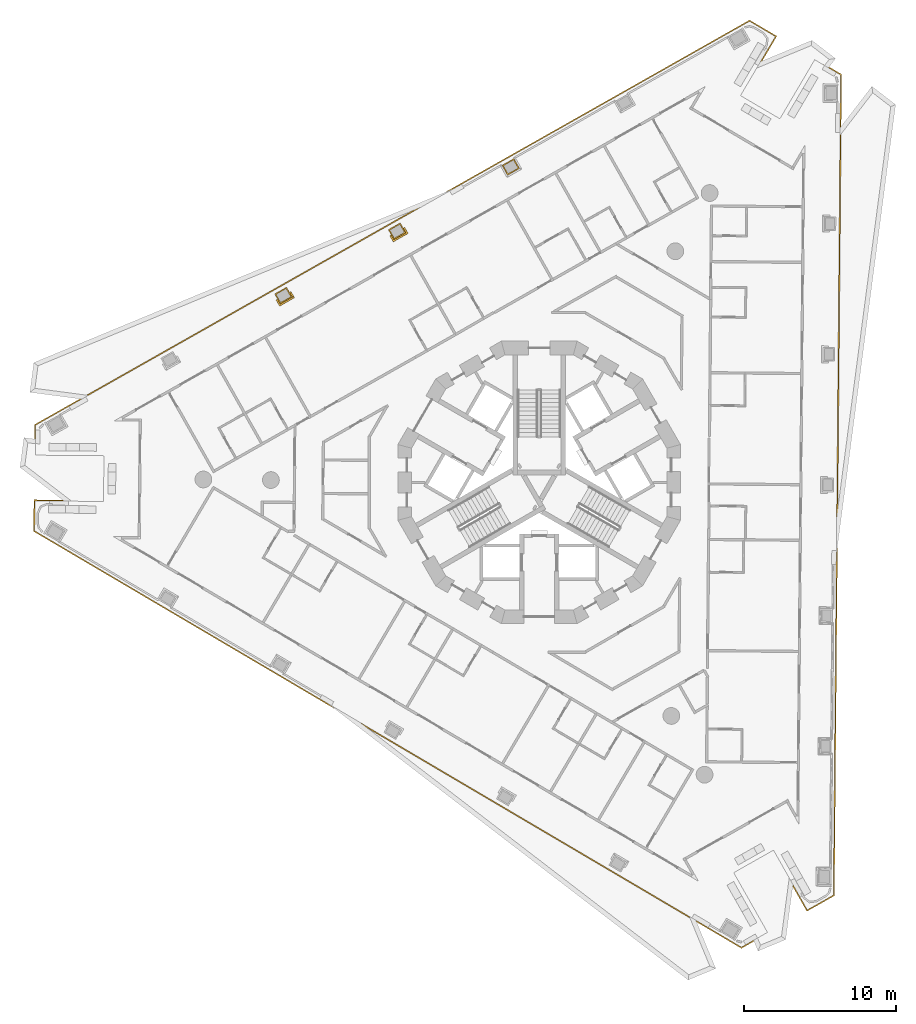
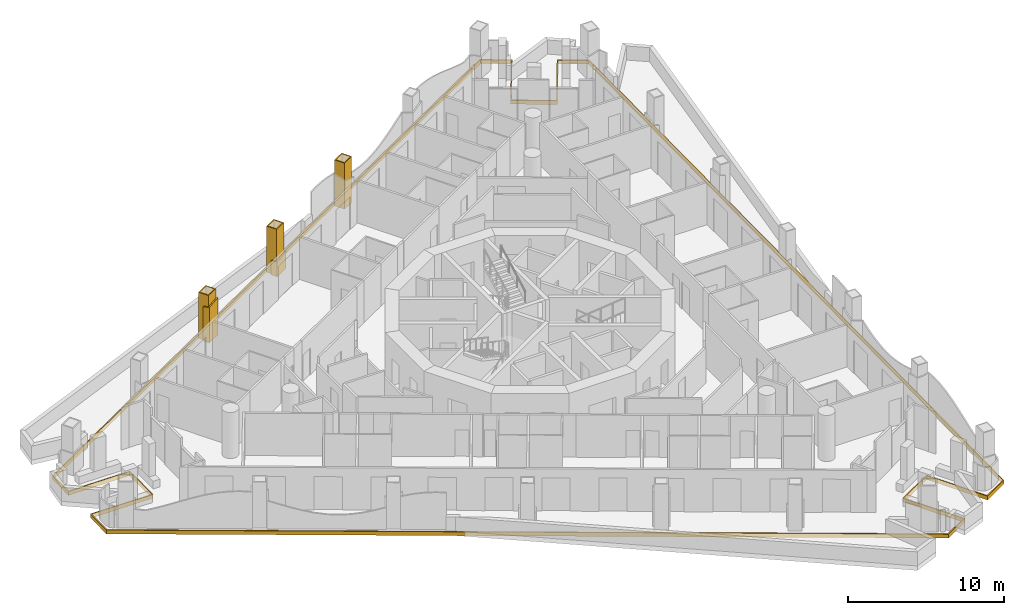
# One storey, part 15 of 18: 4 coverings, 2 railings.
"""IFC4 building model written with IfcOpenShell, lengths in metres."""

from ifc_helpers import new_model, si_unit, direction, frame, origin, place, context, subcontext, project, spatial, polyline, outline, extrude, material, layer, layer_set, type_object, element, save


model = new_model("IFC4")

# Units and contexts
model_context = context("Model", 3, precision=1e-05, world=origin(), true_north=direction((0.0, 1.0)))
body_context = subcontext(model_context, "Body", "Model", "MODEL_VIEW")
ifc_project = project(units=[si_unit("LENGTHUNIT", "METRE"), si_unit("AREAUNIT", "SQUARE_METRE"), si_unit("VOLUMEUNIT", "CUBIC_METRE"), si_unit("PLANEANGLEUNIT", "RADIAN"), si_unit("MASSUNIT", "GRAM", prefix="KILO")], contexts=[model_context])

# Site, building, storey
site_placement = place(None, origin())
site = spatial("IfcSite", under=ifc_project, at=site_placement, CompositionType="ELEMENT")
building_placement = place(site_placement, origin())
building = spatial("IfcBuilding", under=site, at=building_placement, Name="Trine Commons Tower", CompositionType="ELEMENT")
storey_placement = place(building_placement, frame((0.0, 0.0, 161.10009765625)))
storey = spatial("IfcBuildingStorey", under=building, at=storey_placement, Name="L41", CompositionType="ELEMENT", Elevation=161.10009765625)

# Coverings
ifc_material_1 = material(Name="Limestone, honed", Category="masonry")
ifc_layer_1 = layer(ifc_material_1, 0.074951171875)
ifc_layer_set_1 = layer_set([ifc_layer_1], Name="Limestone, honed")
covering_type_1 = type_object("IfcCoveringType", Name="Limestone column cladding 75", PredefinedType="CLADDING", material=ifc_layer_set_1)
covering_1_placement = place(storey_placement, origin())
element("IfcCovering", 1, at=covering_1_placement, inside=storey, type_object=covering_type_1, Name="Limestone pier cladding 5-10", PredefinedType="CLADDING", context=body_context, shape_type="SweptSolid", body=[
    extrude(outline(polyline([(63.79150390625, 74.6572265625), (63.422119140625, 75.31005859375), (62.638916015625, 74.86669921875), (63.00830078125, 74.214111328125), (63.79150390625, 74.6572265625)]), holes=[polyline([(63.689208984375, 74.685546875), (63.393798828125, 75.207763671875), (62.7412109375, 74.83837890625), (63.03662109375, 74.316162109375), (63.689208984375, 74.685546875)])]), origin(), (0.0, 0.0, 1.0), 3.599853515625),
])
covering_2_placement = place(storey_placement, origin())
element("IfcCovering", 2, at=covering_2_placement, inside=storey, type_object=covering_type_1, Name="Limestone pier cladding 5-11", PredefinedType="CLADDING", context=body_context, shape_type="SweptSolid", body=[
    extrude(outline(polyline([(71.2509765625, 78.877685546875), (70.881591796875, 79.530517578125), (70.098388671875, 79.087158203125), (70.4677734375, 78.434326171875), (71.2509765625, 78.877685546875)]), holes=[polyline([(71.148681640625, 78.906005859375), (70.853515625, 79.42822265625), (70.20068359375, 79.058837890625), (70.49609375, 78.53662109375), (71.148681640625, 78.906005859375)])]), origin(), (0.0, 0.0, 1.0), 3.599853515625),
])
covering_3_placement = place(storey_placement, origin())
element("IfcCovering", 3, at=covering_3_placement, inside=storey, type_object=covering_type_1, Name="Limestone pier cladding 5-12", PredefinedType="CLADDING", context=body_context, shape_type="SweptSolid", body=[
    extrude(outline(polyline([(78.71044921875, 83.097900390625), (78.34130859375, 83.750732421875), (77.557861328125, 83.3076171875), (77.92724609375, 82.65478515625), (78.71044921875, 83.097900390625)]), holes=[polyline([(78.6083984375, 83.12646484375), (78.31298828125, 83.648681640625), (77.66015625, 83.279296875), (77.95556640625, 82.757080078125), (78.6083984375, 83.12646484375)])]), origin(), (0.0, 0.0, 1.0), 3.599853515625),
])
ifc_layer_2 = layer(ifc_material_1, 0.074951171875)
ifc_layer_set_2 = layer_set([ifc_layer_2], Name="Limestone, honed")
covering_type_2 = type_object("IfcCoveringType", Name="Limestone spandrel panel 75", PredefinedType="CLADDING", material=ifc_layer_set_2)
covering_4_placement = place(storey_placement, frame((0.0, 0.0, -0.300048828125)))
element("IfcCovering", 4, at=covering_4_placement, inside=storey, type_object=covering_type_2, Name="Limestone spandrel panel 5-01", PredefinedType="CLADDING", context=body_context, shape_type="SweptSolid", body=[
    extrude(outline(polyline([(95.34814453125, 38.26611328125), (97.564208984375, 34.349365234375), (99.376708984375, 35.374755859375), (99.846923828125, 89.282958984375), (98.052734375, 90.33984375), (95.768798828125, 86.46240234375), (93.313232421875, 87.908935546875), (95.59716796875, 91.786376953125), (93.802734375, 92.84326171875), (46.8818359375, 66.296630859375), (46.863525390625, 64.214111328125), (51.363525390625, 64.175048828125), (51.338623046875, 61.3251953125), (46.8388671875, 61.3642578125), (46.820556640625, 59.281982421875), (93.271240234375, 31.92041015625), (95.08349609375, 32.94580078125), (92.86767578125, 36.862548828125), (95.34814453125, 38.26611328125)]), holes=[polyline([(98.079345703125, 90.237060546875), (99.771484375, 89.240234375), (99.302001953125, 35.418701171875), (97.592529296875, 34.45166015625), (95.376708984375, 38.3681640625), (92.765380859375, 36.890869140625), (94.9814453125, 32.974365234375), (93.27197265625, 32.007080078125), (46.89599609375, 59.32470703125), (46.9130859375, 61.288818359375), (51.412841796875, 61.24951171875), (51.439208984375, 64.249267578125), (46.939208984375, 64.28857421875), (46.956298828125, 66.252685546875), (93.802001953125, 92.756591796875), (95.494384765625, 91.759765625), (93.21044921875, 87.88232421875), (95.79541015625, 86.35986328125), (98.079345703125, 90.237060546875)])]), origin(), (0.0, 0.0, 1.0), 0.300048828125),
])

# Railings
ifc_material_2 = material(Name="White powder-coated aluminium", Category="aluminium")
ifc_layer_3 = layer(ifc_material_2, 0.10009765625)
ifc_layer_set_3 = layer_set([ifc_layer_3], Name="White powder-coated aluminium")
railing_type = type_object("IfcRailingType", Name="White balustrade band 100", PredefinedType="GUARDRAIL", material=ifc_layer_set_3)
railing_1_placement = place(storey_placement, origin())
element("IfcRailing", 5, at=railing_1_placement, inside=storey, type_object=railing_type, Name="Guard band L41 9", PredefinedType="GUARDRAIL", context=body_context, shape_type="SweptSolid", body=[
    extrude(outline(polyline([(0.0, 0.0), (0.465576171875, 0.0), (0.4658203125, 2.768310546875), (0.0, 2.670166015625), (0.0, 0.0)])), frame((62.82470703125, 74.51806640625, 0.0), z_axis=(-0.870396774666, -0.492350946633, 0.0), x_axis=(0.492350946633, -0.870396774666, 0.0)), (0.0, 0.0, 1.0), 0.10009765625),
    extrude(outline(polyline([(0.0, 0.0), (1.12158203125, 0.0), (1.121337890625, 2.890380859375), (0.560791015625, 2.840087890625), (0.0, 2.7490234375), (0.0, 0.0)])), frame((62.916748046875, 74.15087890625, 0.0), z_axis=(0.492430227842, -0.870351923481, 0.0), x_axis=(0.870351923481, 0.492430227842, 0.0)), (0.0, 0.0, 1.0), 0.10009765625),
    extrude(outline(polyline([(0.0, 0.0), (0.465576171875, 0.0), (0.4658203125, 2.730712890625), (0.0, 2.88427734375), (0.0, 0.0)])), frame((63.854736328125, 74.565673828125, 0.0), z_axis=(0.870396774666, 0.492350946633, 0.0), x_axis=(-0.492350946633, 0.870396774666, 0.0)), (0.0, 0.0, 1.0), 0.10009765625),
])
railing_2_placement = place(storey_placement, origin())
element("IfcRailing", 6, at=railing_2_placement, inside=storey, type_object=railing_type, Name="Guard band L41 10", PredefinedType="GUARDRAIL", context=body_context, shape_type="SweptSolid", body=[
    extrude(outline(polyline([(0.0, 0.0), (0.466064453125, 0.0), (0.46630859375, 1.150390625), (0.0, 1.110595703125), (0.0, 0.0)])), frame((70.2841796875, 78.738525390625, 0.0), z_axis=(-0.870426247265, -0.49229884021, 0.0), x_axis=(0.49229884021, -0.870426247265, 0.0)), (0.0, 0.0, 1.0), 0.10009765625),
    extrude(outline(polyline([(0.0, 0.0), (1.12158203125, 0.0), (1.121826171875, 1.333984375), (0.560791015625, 1.2177734375), (0.0, 1.139404296875), (0.0, 0.0)])), frame((70.37646484375, 78.371337890625, 0.0), z_axis=(0.492336940529, -0.870404697248, 0.0), x_axis=(0.870404697248, 0.492336940529, 0.0)), (0.0, 0.0, 1.0), 0.10009765625),
    extrude(outline(polyline([(0.0, 0.0), (0.465576171875, 0.0), (0.465576171875, 1.42724609375), (0.0, 1.310302734375), (0.0, 0.0)])), frame((71.314208984375, 78.7861328125, 0.0), z_axis=(0.870396774666, 0.492350946633, 0.0), x_axis=(-0.492350946633, 0.870396774666, 0.0)), (0.0, 0.0, 1.0), 0.10009765625),
])

save(model, "model.ifc")
